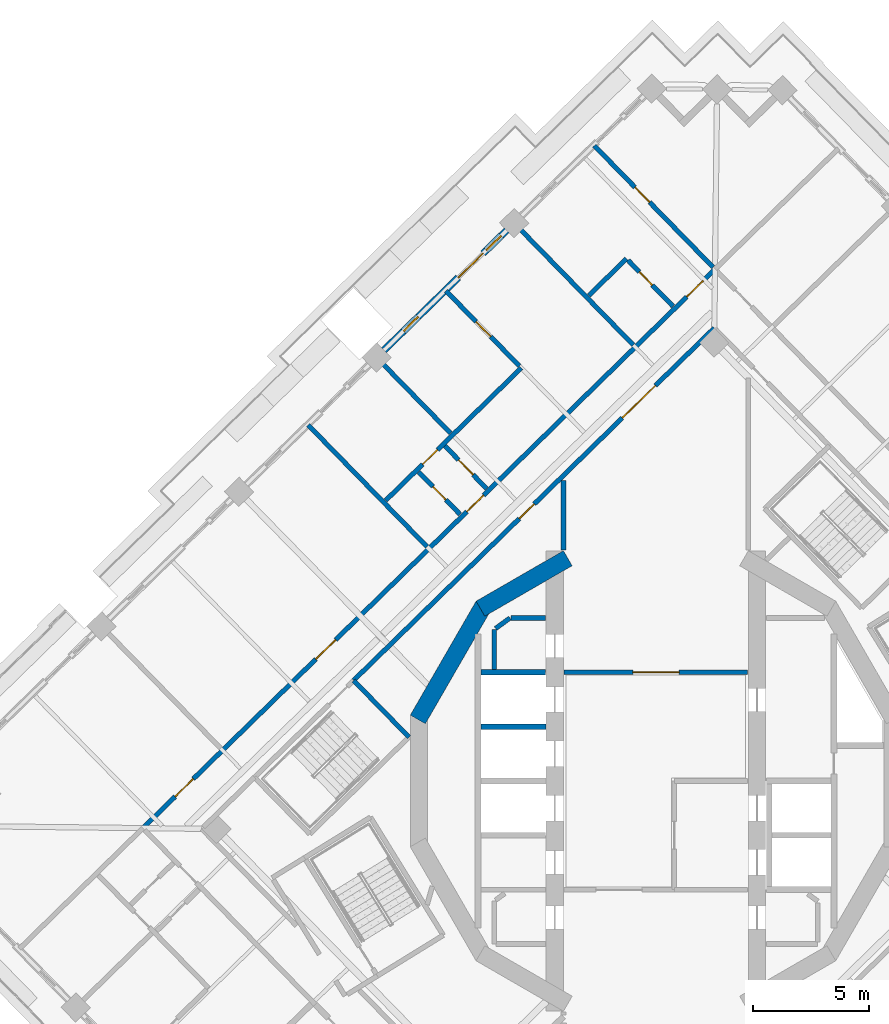
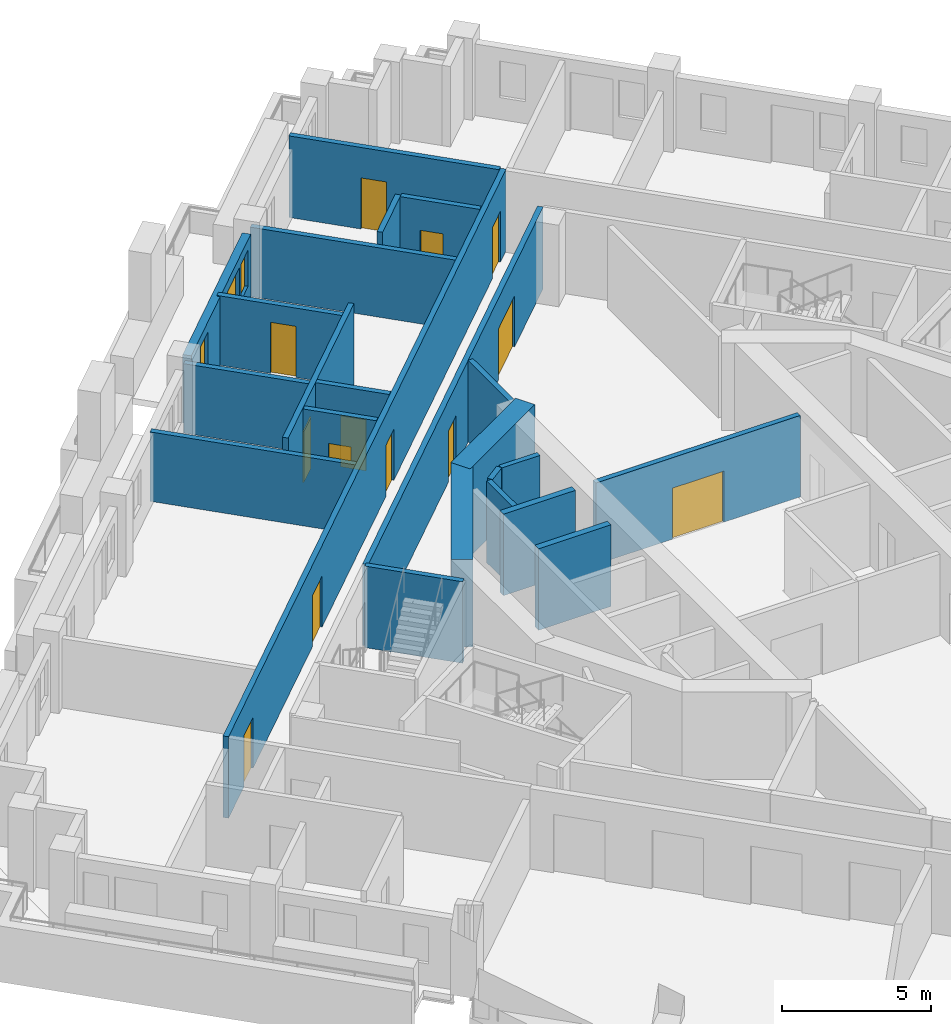
# One storey, part 8 of 17: 23 walls, 14 doors, 2 windows, 16 openings.
"""IFC4 building model written with IfcOpenShell, lengths in metres."""

from ifc_helpers import new_model, si_unit, direction, frame, frame_2d, origin, place, context, subcontext, project, spatial, rectangle, extrude, material, layer, layer_set, type_object, element, fill, save


model = new_model("IFC4")

# Units and contexts
model_context = context("Model", 3, precision=1e-05, world=origin(), true_north=direction((0.0, 1.0)))
body_context = subcontext(model_context, "Body", "Model", "MODEL_VIEW")
ifc_project = project(units=[si_unit("LENGTHUNIT", "METRE"), si_unit("AREAUNIT", "SQUARE_METRE"), si_unit("VOLUMEUNIT", "CUBIC_METRE"), si_unit("PLANEANGLEUNIT", "RADIAN"), si_unit("MASSUNIT", "GRAM", prefix="KILO")], contexts=[model_context])

# Site, building, storey
site_placement = place(None, origin())
site = spatial("IfcSite", under=ifc_project, at=site_placement, CompositionType="ELEMENT")
building_placement = place(site_placement, origin())
building = spatial("IfcBuilding", under=site, at=building_placement, Name="Cantera Rosa Tower", CompositionType="ELEMENT")
storey_placement = place(building_placement, frame((0.0, 0.0, 237.800048828125)))
storey = spatial("IfcBuildingStorey", under=building, at=storey_placement, Name="L52", CompositionType="ELEMENT", Elevation=237.800048828125)

# Wall
ifc_material_1 = material(Name="Gypsum board partition")
ifc_layer_1 = layer(ifc_material_1, 0.199951171875)
ifc_layer_set_1 = layer_set([ifc_layer_1], Name="CORRIDOR WALL 200 H3350")
wall_type_1 = type_object("IfcWallType", Name="CORRIDOR WALL 200 H3350", PredefinedType="PARTITIONING", material=ifc_layer_set_1)
wall_1_placement = place(storey_placement, frame((-4.0, 12.998046875, 0.0), z_axis=(0.0, 0.0, 1.0), x_axis=(0.0, -1.0, 0.0)))
element("IfcWall", 1, at=wall_1_placement, inside=storey, type_object=wall_type_1, Name="CORRIDOR WALL L52-053", PredefinedType="PARTITIONING", context=body_context, shape_type="SweptSolid", body=[
    extrude(rectangle(XDim=3.00390625, YDim=0.199951171875, at=frame_2d((1.501953125, 0.0))), origin(), (0.0, 0.0, 1.0), 3.349853515625),
])

# Wall, opening, door
wall_2_placement = place(storey_placement, frame((-3.969970703125, 4.699951171875, 0.0), z_axis=(0.0, 0.0, 1.0), x_axis=(1.0, 0.0, 0.0)))
wall_2 = element("IfcWall", 2, at=wall_2_placement, inside=storey, type_object=wall_type_1, Name="CORRIDOR WALL L52-054", PredefinedType="PARTITIONING", context=body_context, shape_type="SweptSolid", body=[
    extrude(rectangle(XDim=7.93994140625, YDim=0.199951171875, at=frame_2d((3.969970703125, 0.0))), origin(), (0.0, 0.0, 1.0), 3.349853515625),
])
opening_1_placement = place(wall_2_placement, frame((2.969970703125, 0.0, 0.0)))
opening_1 = element("IfcOpeningElement", 3, at=opening_1_placement, cuts=wall_2, Name="Opening L52-013", PredefinedType="OPENING", context=body_context, shape_type="SweptSolid", body=[
    extrude(rectangle(XDim=2.0, YDim=2.10009765625, at=frame_2d((1.0, 1.050048828125))), frame((0.0, 0.10986328125, 0.0), z_axis=(0.0, -1.0, 0.0), x_axis=(1.0, 0.0, 0.0)), (0.0, 0.0, 1.0), 0.219970703125),
])
ifc_material_2 = material(Name="Steel S355J2 (EN 10025-2)", Category="steel")
door_type_1 = type_object("IfcDoorType", Name="LOBBY SCREEN DOOR 2000x2100", OperationType="NOTDEFINED", PredefinedType="DOOR", material=ifc_material_2)
door_1_placement = place(opening_1_placement, origin())
door_1 = element("IfcDoor", 4, at=door_1_placement, inside=storey, type_object=door_type_1, Name="DOOR L52-013", OperationType="NOTDEFINED", OverallHeight=2.10009765625, OverallWidth=2.0, PredefinedType="DOOR", context=body_context, shape_type="SweptSolid", body=[
    extrude(rectangle(XDim=2.0, YDim=2.10009765625, at=frame_2d((1.0, 1.050048828125))), frame((0.0, 0.02490234375, 0.0), z_axis=(0.0, -1.0, 0.0), x_axis=(1.0, 0.0, 0.0)), (0.0, 0.0, 1.0), 0.050048828125),
])
fill(opening_1, door_1)

# Wall, openings, doors
wall_3_placement = place(storey_placement, frame((2.5263671875, 19.593994140625, 0.0), z_axis=(0.0, 0.0, 1.0), x_axis=(-0.715295644999, -0.698821966059, 0.0)))
wall_3 = element("IfcWall", 5, at=wall_3_placement, inside=storey, type_object=wall_type_1, Name="CORRIDOR WALL L52-064", PredefinedType="PARTITIONING", context=body_context, shape_type="SweptSolid", body=[
    extrude(rectangle(XDim=21.815185546875, YDim=0.199951171875, at=frame_2d((10.90771484375, 0.0))), origin(), (0.0, 0.0, 1.0), 3.349853515625),
])
opening_2_placement = place(wall_3_placement, frame((10.89501953125, 0.0, 0.0)))
opening_2 = element("IfcOpeningElement", 6, at=opening_2_placement, cuts=wall_3, Name="Opening L52-008", PredefinedType="OPENING", context=body_context, shape_type="SweptSolid", body=[
    extrude(rectangle(XDim=0.89990234375, YDim=2.10009765625, at=frame_2d((0.449951171875, 1.050048828125))), frame((0.0, 0.10986328125, 0.0), z_axis=(0.0, -1.0, 0.0), x_axis=(1.0, 0.0, 0.0)), (0.0, 0.0, 1.0), 0.219970703125),
])
opening_3_placement = place(wall_3_placement, frame((3.56201171875, 0.0, 0.0)))
opening_3 = element("IfcOpeningElement", 7, at=opening_3_placement, cuts=wall_3, Name="Opening L52-012", PredefinedType="OPENING", context=body_context, shape_type="SweptSolid", body=[
    extrude(rectangle(XDim=2.0, YDim=2.10009765625, at=frame_2d((1.0, 1.050048828125))), frame((0.0, 0.10986328125, 0.0), z_axis=(0.0, -1.0, 0.0), x_axis=(1.0, 0.0, 0.0)), (0.0, 0.0, 1.0), 0.219970703125),
])
door_2_placement = place(opening_3_placement, origin())
door_2 = element("IfcDoor", 8, at=door_2_placement, inside=storey, type_object=door_type_1, Name="DOOR L52-012", OperationType="NOTDEFINED", OverallHeight=2.10009765625, OverallWidth=2.0, PredefinedType="DOOR", context=body_context, shape_type="SweptSolid", body=[
    extrude(rectangle(XDim=2.0, YDim=2.10009765625, at=frame_2d((1.0, 1.050048828125))), frame((0.0, 0.02490234375, 0.0), z_axis=(0.0, -1.0, 0.0), x_axis=(1.0, 0.0, 0.0)), (0.0, 0.0, 1.0), 0.050048828125),
])
fill(opening_3, door_2)
ifc_material_3 = material(Name="Timber door leaf", Category="wood")
door_type_2 = type_object("IfcDoorType", Name="SERVICE DOOR 900x2100", OperationType="NOTDEFINED", PredefinedType="DOOR", material=ifc_material_3)
door_3_placement = place(opening_2_placement, origin())
door_3 = element("IfcDoor", 9, at=door_3_placement, inside=storey, type_object=door_type_2, Name="DOOR L52-008", OperationType="NOTDEFINED", OverallHeight=2.10009765625, OverallWidth=0.89990234375, PredefinedType="DOOR", context=body_context, shape_type="SweptSolid", body=[
    extrude(rectangle(XDim=0.89990234375, YDim=2.10009765625, at=frame_2d((0.449951171875, 1.050048828125))), frame((0.0, 0.02490234375, 0.0), z_axis=(0.0, -1.0, 0.0), x_axis=(1.0, 0.0, 0.0)), (0.0, 0.0, 1.0), 0.050048828125),
])
fill(opening_2, door_3)

wall_4_placement = place(storey_placement, frame((2.555908203125, 22.1396484375, 0.0), z_axis=(0.0, 0.0, 1.0), x_axis=(-0.715286274513, -0.698831557311, 0.0)))
wall_4 = element("IfcWall", 10, at=wall_4_placement, inside=storey, type_object=wall_type_1, Name="CORRIDOR WALL L52-065", PredefinedType="PARTITIONING", context=body_context, shape_type="SweptSolid", body=[
    extrude(rectangle(XDim=34.60009765625, YDim=0.199951171875, at=frame_2d((17.300048828125, 0.0))), origin(), (0.0, 0.0, 1.0), 3.349853515625),
])
opening_4_placement = place(wall_4_placement, frame((22.93994140625, 0.0, 0.0)))
opening_4 = element("IfcOpeningElement", 11, at=opening_4_placement, cuts=wall_4, Name="Opening L52-031", PredefinedType="OPENING", context=body_context, shape_type="SweptSolid", body=[
    extrude(rectangle(XDim=1.199951171875, YDim=2.10009765625, at=frame_2d((0.60009765625, 1.050048828125))), frame((0.0, 0.10986328125, 0.0), z_axis=(0.0, -1.0, 0.0), x_axis=(1.0, 0.0, 0.0)), (0.0, 0.0, 1.0), 0.219970703125),
])
opening_5_placement = place(wall_4_placement, frame((14.0, 0.0, 0.0)))
opening_5 = element("IfcOpeningElement", 12, at=opening_5_placement, cuts=wall_4, Name="Opening L52-032", PredefinedType="OPENING", context=body_context, shape_type="SweptSolid", body=[
    extrude(rectangle(XDim=1.0, YDim=2.10009765625, at=frame_2d((0.5, 1.050048828125))), frame((0.0, 0.10986328125, 0.0), z_axis=(0.0, -1.0, 0.0), x_axis=(1.0, 0.0, 0.0)), (0.0, 0.0, 1.0), 0.219970703125),
])
opening_6_placement = place(wall_4_placement, frame((0.7099609375, 0.0, 0.0)))
opening_6 = element("IfcOpeningElement", 13, at=opening_6_placement, cuts=wall_4, Name="Opening L52-037", PredefinedType="OPENING", context=body_context, shape_type="SweptSolid", body=[
    extrude(rectangle(XDim=1.0, YDim=2.10009765625, at=frame_2d((0.5, 1.050048828125))), frame((0.0, 0.10986328125, 0.0), z_axis=(0.0, -1.0, 0.0), x_axis=(1.0, 0.0, 0.0)), (0.0, 0.0, 1.0), 0.219970703125),
])
opening_7_placement = place(wall_4_placement, frame((31.550048828125, 0.0, 0.0)))
opening_7 = element("IfcOpeningElement", 14, at=opening_7_placement, cuts=wall_4, Name="Opening L52-040", PredefinedType="OPENING", context=body_context, shape_type="SweptSolid", body=[
    extrude(rectangle(XDim=1.10009765625, YDim=2.10009765625, at=frame_2d((0.550048828125, 1.050048828125))), frame((0.0, 0.10986328125, 0.0), z_axis=(0.0, -1.0, 0.0), x_axis=(1.0, 0.0, 0.0)), (0.0, 0.0, 1.0), 0.219970703125),
])
ifc_material_4 = material(Name="Timber door leaf", Category="wood")
door_type_3 = type_object("IfcDoorType", Name="ENTRANCE DOOR 1000x2100", OperationType="NOTDEFINED", PredefinedType="DOOR", material=ifc_material_4)
door_4_placement = place(opening_5_placement, origin())
door_4 = element("IfcDoor", 15, at=door_4_placement, inside=storey, type_object=door_type_3, Name="DOOR L52-032", OperationType="NOTDEFINED", OverallHeight=2.10009765625, OverallWidth=1.0, PredefinedType="DOOR", context=body_context, shape_type="SweptSolid", body=[
    extrude(rectangle(XDim=1.0, YDim=2.10009765625, at=frame_2d((0.5, 1.050048828125))), frame((0.0, 0.02490234375, 0.0), z_axis=(0.0, -1.0, 0.0), x_axis=(1.0, 0.0, 0.0)), (0.0, 0.0, 1.0), 0.050048828125),
])
fill(opening_5, door_4)
door_5_placement = place(opening_6_placement, origin())
door_5 = element("IfcDoor", 16, at=door_5_placement, inside=storey, type_object=door_type_3, Name="DOOR L52-037", OperationType="NOTDEFINED", OverallHeight=2.10009765625, OverallWidth=1.0, PredefinedType="DOOR", context=body_context, shape_type="SweptSolid", body=[
    extrude(rectangle(XDim=1.0, YDim=2.10009765625, at=frame_2d((0.5, 1.050048828125))), frame((0.0, 0.02490234375, 0.0), z_axis=(0.0, -1.0, 0.0), x_axis=(1.0, 0.0, 0.0)), (0.0, 0.0, 1.0), 0.050048828125),
])
fill(opening_6, door_5)
ifc_material_5 = material(Name="Timber door leaf", Category="wood")
door_type_4 = type_object("IfcDoorType", Name="ROOM DOOR 1100x2100", OperationType="NOTDEFINED", PredefinedType="DOOR", material=ifc_material_5)
door_6_placement = place(opening_7_placement, origin())
door_6 = element("IfcDoor", 17, at=door_6_placement, inside=storey, type_object=door_type_4, Name="DOOR L52-040", OperationType="NOTDEFINED", OverallHeight=2.10009765625, OverallWidth=1.10009765625, PredefinedType="DOOR", context=body_context, shape_type="SweptSolid", body=[
    extrude(rectangle(XDim=1.10009765625, YDim=2.10009765625, at=frame_2d((0.550048828125, 1.050048828125))), frame((0.0, 0.02490234375, 0.0), z_axis=(0.0, -1.0, 0.0), x_axis=(1.0, 0.0, 0.0)), (0.0, 0.0, 1.0), 0.050048828125),
])
fill(opening_7, door_6)
ifc_material_6 = material(Name="Timber door leaf", Category="wood")
door_type_5 = type_object("IfcDoorType", Name="ROOM DOOR 1200x2100", OperationType="NOTDEFINED", PredefinedType="DOOR", material=ifc_material_6)
door_7_placement = place(opening_4_placement, origin())
door_7 = element("IfcDoor", 18, at=door_7_placement, inside=storey, type_object=door_type_5, Name="DOOR L52-031", OperationType="NOTDEFINED", OverallHeight=2.10009765625, OverallWidth=1.199951171875, PredefinedType="DOOR", context=body_context, shape_type="SweptSolid", body=[
    extrude(rectangle(XDim=1.199951171875, YDim=2.10009765625, at=frame_2d((0.60009765625, 1.050048828125))), frame((0.0, 0.02490234375, 0.0), z_axis=(0.0, -1.0, 0.0), x_axis=(1.0, 0.0, 0.0)), (0.0, 0.0, 1.0), 0.050048828125),
])
fill(opening_4, door_7)

# Wall, openings, windows, door
ifc_material_7 = material(Name="Hollow clay masonry with cantera stone cladding", Category="masonry")
ifc_layer_2 = layer(ifc_material_7, 0.300048828125)
ifc_layer_set_2 = layer_set([ifc_layer_2], Name="EW-LOGGIA 300 H2820")
wall_type_2 = type_object("IfcWallType", Name="EW-LOGGIA 300 H2820", PredefinedType="SOLIDWALL", material=ifc_layer_set_2)
wall_5_placement = place(storey_placement, frame((-6.454833984375, 23.8212890625, 0.0), z_axis=(0.0, 0.0, 1.0), x_axis=(-0.715300826176, -0.698816662703, 0.0)))
wall_5 = element("IfcWall", 19, at=wall_5_placement, inside=storey, type_object=wall_type_2, Name="EN-L52-W08", PredefinedType="SOLIDWALL", context=body_context, shape_type="SweptSolid", body=[
    extrude(rectangle(XDim=7.420166015625, YDim=0.300048828125, at=frame_2d((3.7099609375, 0.0))), origin(), (0.0, 0.0, 1.0), 2.820068359375),
])
opening_8_placement = place(wall_5_placement, frame((0.330078125, 0.0, 0.89990234375)))
opening_8 = element("IfcOpeningElement", 20, at=opening_8_placement, cuts=wall_5, Name="Opening L52-W16", PredefinedType="OPENING", context=body_context, shape_type="SweptSolid", body=[
    extrude(rectangle(XDim=0.89990234375, YDim=1.5, at=frame_2d((0.449951171875, 0.75))), frame((0.0, 0.159912109375, 0.0), z_axis=(0.0, -1.0, 0.0), x_axis=(1.0, 0.0, 0.0)), (0.0, 0.0, 1.0), 0.320068359375),
])
opening_9_placement = place(wall_5_placement, frame((1.429931640625, 0.0, 0.0)))
opening_9 = element("IfcOpeningElement", 21, at=opening_9_placement, cuts=wall_5, Name="Opening L52-TD17", PredefinedType="OPENING", context=body_context, shape_type="SweptSolid", body=[
    extrude(rectangle(XDim=1.5, YDim=2.39990234375, at=frame_2d((0.75, 1.199951171875))), frame((0.0, 0.159912109375, 0.0), z_axis=(0.0, -1.0, 0.0), x_axis=(1.0, 0.0, 0.0)), (0.0, 0.0, 1.0), 0.320068359375),
])
opening_10_placement = place(wall_5_placement, frame((5.340087890625, 0.0, 0.89990234375)))
opening_10 = element("IfcOpeningElement", 22, at=opening_10_placement, cuts=wall_5, Name="Opening L52-W18", PredefinedType="OPENING", context=body_context, shape_type="SweptSolid", body=[
    extrude(rectangle(XDim=0.89990234375, YDim=1.5, at=frame_2d((0.449951171875, 0.75))), frame((0.0, 0.159912109375, 0.0), z_axis=(0.0, -1.0, 0.0), x_axis=(1.0, 0.0, 0.0)), (0.0, 0.0, 1.0), 0.320068359375),
])
ifc_material_8 = material(Name="Aluminium frame with clear glass", Category="aluminium")
window_type = type_object("IfcWindowType", Name="Residential window 900x1500", PartitioningType="SINGLE_PANEL", PredefinedType="WINDOW", material=ifc_material_8)
window_1_placement = place(opening_8_placement, origin())
window_1 = element("IfcWindow", 23, at=window_1_placement, inside=storey, type_object=window_type, Name="WINDOW L52-W16", OverallHeight=1.5, OverallWidth=0.89990234375, PartitioningType="SINGLE_PANEL", PredefinedType="WINDOW", context=body_context, shape_type="SweptSolid", body=[
    extrude(rectangle(XDim=0.89990234375, YDim=1.5, at=frame_2d((0.449951171875, 0.75))), frame((0.0, 0.030029296875, 0.0), z_axis=(0.0, -1.0, 0.0), x_axis=(1.0, 0.0, 0.0)), (0.0, 0.0, 1.0), 0.06005859375),
])
fill(opening_8, window_1)
window_2_placement = place(opening_10_placement, origin())
window_2 = element("IfcWindow", 24, at=window_2_placement, inside=storey, type_object=window_type, Name="WINDOW L52-W18", OverallHeight=1.5, OverallWidth=0.89990234375, PartitioningType="SINGLE_PANEL", PredefinedType="WINDOW", context=body_context, shape_type="SweptSolid", body=[
    extrude(rectangle(XDim=0.89990234375, YDim=1.5, at=frame_2d((0.449951171875, 0.75))), frame((0.0, 0.030029296875, 0.0), z_axis=(0.0, -1.0, 0.0), x_axis=(1.0, 0.0, 0.0)), (0.0, 0.0, 1.0), 0.06005859375),
])
fill(opening_10, window_2)
ifc_material_9 = material(Name="Aluminium frame with clear glass", Category="aluminium")
door_type_6 = type_object("IfcDoorType", Name="TD-R 1500x2400", OperationType="NOTDEFINED", PredefinedType="DOOR", material=ifc_material_9)
door_8_placement = place(opening_9_placement, origin())
door_8 = element("IfcDoor", 25, at=door_8_placement, inside=storey, type_object=door_type_6, Name="LOGGIA DOOR L52-TD17", OperationType="SLIDING_TO_LEFT", OverallHeight=2.39990234375, OverallWidth=1.5, PredefinedType="DOOR", context=body_context, shape_type="SweptSolid", body=[
    extrude(rectangle(XDim=1.5, YDim=2.39990234375, at=frame_2d((0.75, 1.199951171875))), frame((0.0, 0.02490234375, 0.0), z_axis=(0.0, -1.0, 0.0), x_axis=(1.0, 0.0, 0.0)), (0.0, 0.0, 1.0), 0.050048828125),
])
fill(opening_9, door_8)

# Wall
ifc_material_10 = material(Name="Gypsum board partition")
ifc_layer_3 = layer(ifc_material_10, 0.199951171875)
ifc_layer_set_3 = layer_set([ifc_layer_3], Name="PARTITION 200 H2850")
wall_type_3 = type_object("IfcWallType", Name="PARTITION 200 H2850", PredefinedType="PARTITIONING", material=ifc_layer_set_3)
wall_6_placement = place(storey_placement, frame((-12.063232421875, 18.300048828125, 0.0), z_axis=(0.0, 0.0, 1.0), x_axis=(0.698822536041, -0.715295088142, 0.0)))
element("IfcWall", 26, at=wall_6_placement, inside=storey, type_object=wall_type_3, Name="PARTITION L52-022", PredefinedType="PARTITIONING", context=body_context, shape_type="SweptSolid", body=[
    extrude(rectangle(XDim=4.550048828125, YDim=0.199951171875, at=frame_2d((2.27490234375, 0.0))), origin(), (0.0, 0.0, 1.0), 2.849853515625),
])

# Wall, opening, door
wall_7_placement = place(storey_placement, frame((-9.087646484375, 21.207275390625, 0.0), z_axis=(0.0, 0.0, 1.0), x_axis=(0.698822536041, -0.715295088142, 0.0)))
wall_7 = element("IfcWall", 27, at=wall_7_placement, inside=storey, type_object=wall_type_3, Name="PARTITION L52-033", PredefinedType="PARTITIONING", context=body_context, shape_type="SweptSolid", body=[
    extrude(rectangle(XDim=4.550048828125, YDim=0.199951171875, at=frame_2d((2.27490234375, 0.0))), origin(), (0.0, 0.0, 1.0), 2.849853515625),
])
opening_11_placement = place(wall_7_placement, frame((1.8701171875, 0.0, 0.0)))
opening_11 = element("IfcOpeningElement", 28, at=opening_11_placement, cuts=wall_7, Name="Opening L52-036", PredefinedType="OPENING", context=body_context, shape_type="SweptSolid", body=[
    extrude(rectangle(XDim=0.89990234375, YDim=2.10009765625, at=frame_2d((0.449951171875, 1.050048828125))), frame((0.0, 0.10986328125, 0.0), z_axis=(0.0, -1.0, 0.0), x_axis=(1.0, 0.0, 0.0)), (0.0, 0.0, 1.0), 0.219970703125),
])
ifc_material_11 = material(Name="Timber door leaf", Category="wood")
door_type_7 = type_object("IfcDoorType", Name="ROOM DOOR 900x2100", OperationType="NOTDEFINED", PredefinedType="DOOR", material=ifc_material_11)
door_9_placement = place(opening_11_placement, origin())
door_9 = element("IfcDoor", 29, at=door_9_placement, inside=storey, type_object=door_type_7, Name="DOOR L52-036", OperationType="NOTDEFINED", OverallHeight=2.10009765625, OverallWidth=0.89990234375, PredefinedType="DOOR", context=body_context, shape_type="SweptSolid", body=[
    extrude(rectangle(XDim=0.89990234375, YDim=2.10009765625, at=frame_2d((0.449951171875, 1.050048828125))), frame((0.0, 0.02490234375, 0.0), z_axis=(0.0, -1.0, 0.0), x_axis=(1.0, 0.0, 0.0)), (0.0, 0.0, 1.0), 0.050048828125),
])
fill(opening_11, door_9)

ifc_material_12 = material(Name="Gypsum board partition")
ifc_layer_4 = layer(ifc_material_12, 0.199951171875)
ifc_layer_set_4 = layer_set([ifc_layer_4], Name="PARTITION 200 H3350")
wall_type_4 = type_object("IfcWallType", Name="PARTITION 200 H3350", PredefinedType="PARTITIONING", material=ifc_layer_set_4)
wall_8_placement = place(storey_placement, frame((-11.689453125, 12.136474609375, 0.0), z_axis=(0.0, 0.0, 1.0), x_axis=(0.715276493207, 0.698841568788, 0.0)))
wall_8 = element("IfcWall", 30, at=wall_8_placement, inside=storey, type_object=wall_type_4, Name="PARTITION L52-025", PredefinedType="PARTITIONING", context=body_context, shape_type="SweptSolid", body=[
    extrude(rectangle(XDim=8.199951171875, YDim=0.199951171875, at=frame_2d((4.10009765625, 0.0))), origin(), (0.0, 0.0, 1.0), 3.349853515625),
])
opening_12_placement = place(wall_8_placement, frame((2.22998046875, 0.0, 0.0)))
opening_12 = element("IfcOpeningElement", 31, at=opening_12_placement, cuts=wall_8, Name="Opening L52-035", PredefinedType="OPENING", context=body_context, shape_type="SweptSolid", body=[
    extrude(rectangle(XDim=0.89990234375, YDim=2.10009765625, at=frame_2d((0.449951171875, 1.050048828125))), frame((0.0, 0.10986328125, 0.0), z_axis=(0.0, -1.0, 0.0), x_axis=(1.0, 0.0, 0.0)), (0.0, 0.0, 1.0), 0.219970703125),
])
door_10_placement = place(opening_12_placement, origin())
door_10 = element("IfcDoor", 32, at=door_10_placement, inside=storey, type_object=door_type_7, Name="DOOR L52-035", OperationType="NOTDEFINED", OverallHeight=2.10009765625, OverallWidth=0.89990234375, PredefinedType="DOOR", context=body_context, shape_type="SweptSolid", body=[
    extrude(rectangle(XDim=0.89990234375, YDim=2.10009765625, at=frame_2d((0.449951171875, 1.050048828125))), frame((0.0, 0.02490234375, 0.0), z_axis=(0.0, -1.0, 0.0), x_axis=(1.0, 0.0, 0.0)), (0.0, 0.0, 1.0), 0.050048828125),
])
fill(opening_12, door_10)

wall_9_placement = place(storey_placement, frame((-10.260986328125, 13.364501953125, 0.0), z_axis=(0.0, 0.0, 1.0), x_axis=(0.698809886965, -0.715307445705, 0.0)))
wall_9 = element("IfcWall", 33, at=wall_9_placement, inside=storey, type_object=wall_type_4, Name="PARTITION L52-029", PredefinedType="PARTITIONING", context=body_context, shape_type="SweptSolid", body=[
    extrude(rectangle(XDim=2.56005859375, YDim=0.199951171875, at=frame_2d((1.280029296875, 0.0))), origin(), (0.0, 0.0, 1.0), 3.349853515625),
])
opening_13_placement = place(wall_9_placement, frame((0.8798828125, 0.0, 0.0)))
opening_13 = element("IfcOpeningElement", 34, at=opening_13_placement, cuts=wall_9, Name="Opening L52-033", PredefinedType="OPENING", context=body_context, shape_type="SweptSolid", body=[
    extrude(rectangle(XDim=0.800048828125, YDim=2.10009765625, at=frame_2d((0.39990234375, 1.050048828125))), frame((0.0, 0.10986328125, 0.0), z_axis=(0.0, -1.0, 0.0), x_axis=(1.0, 0.0, 0.0)), (0.0, 0.0, 1.0), 0.219970703125),
])
ifc_material_13 = material(Name="Timber door leaf", Category="wood")
door_type_8 = type_object("IfcDoorType", Name="BATHROOM DOOR 800x2100", OperationType="NOTDEFINED", PredefinedType="DOOR", material=ifc_material_13)
door_11_placement = place(opening_13_placement, origin())
door_11 = element("IfcDoor", 35, at=door_11_placement, inside=storey, type_object=door_type_8, Name="DOOR L52-033", OperationType="NOTDEFINED", OverallHeight=2.10009765625, OverallWidth=0.800048828125, PredefinedType="DOOR", context=body_context, shape_type="SweptSolid", body=[
    extrude(rectangle(XDim=0.800048828125, YDim=2.10009765625, at=frame_2d((0.39990234375, 1.050048828125))), frame((0.0, 0.02490234375, 0.0), z_axis=(0.0, -1.0, 0.0), x_axis=(1.0, 0.0, 0.0)), (0.0, 0.0, 1.0), 0.050048828125),
])
fill(opening_13, door_11)

wall_10_placement = place(storey_placement, frame((-9.13037109375, 14.496826171875, 0.0), z_axis=(0.0, 0.0, 1.0), x_axis=(0.698826236875, -0.715291472517, 0.0)))
wall_10 = element("IfcWall", 36, at=wall_10_placement, inside=storey, type_object=wall_type_4, Name="PARTITION L52-032", PredefinedType="PARTITIONING", context=body_context, shape_type="SweptSolid", body=[
    extrude(rectangle(XDim=2.580078125, YDim=0.199951171875, at=frame_2d((1.2900390625, 0.0))), origin(), (0.0, 0.0, 1.0), 3.349853515625),
])
opening_14_placement = place(wall_10_placement, frame((0.85009765625, 0.0, 0.0)))
opening_14 = element("IfcOpeningElement", 37, at=opening_14_placement, cuts=wall_10, Name="Opening L52-034", PredefinedType="OPENING", context=body_context, shape_type="SweptSolid", body=[
    extrude(rectangle(XDim=0.89990234375, YDim=2.10009765625, at=frame_2d((0.449951171875, 1.050048828125))), frame((0.0, 0.10986328125, 0.0), z_axis=(0.0, -1.0, 0.0), x_axis=(1.0, 0.0, 0.0)), (0.0, 0.0, 1.0), 0.219970703125),
])
door_12_placement = place(opening_14_placement, origin())
door_12 = element("IfcDoor", 38, at=door_12_placement, inside=storey, type_object=door_type_7, Name="DOOR L52-034", OperationType="NOTDEFINED", OverallHeight=2.10009765625, OverallWidth=0.89990234375, PredefinedType="DOOR", context=body_context, shape_type="SweptSolid", body=[
    extrude(rectangle(XDim=0.89990234375, YDim=2.10009765625, at=frame_2d((0.449951171875, 1.050048828125))), frame((0.0, 0.02490234375, 0.0), z_axis=(0.0, -1.0, 0.0), x_axis=(1.0, 0.0, 0.0)), (0.0, 0.0, 1.0), 0.050048828125),
])
fill(opening_14, door_12)

# Walls
wall_11_placement = place(storey_placement, frame((-7.0, 4.824951171875, 0.0), z_axis=(0.0, 0.0, 1.0), x_axis=(0.0, 1.0, 0.0)))
element("IfcWall", 39, at=wall_11_placement, inside=storey, type_object=wall_type_4, Name="PARTITION L52-043", PredefinedType="PARTITIONING", context=body_context, shape_type="SweptSolid", body=[
    extrude(rectangle(XDim=1.72509765625, YDim=0.199951171875, at=frame_2d((0.862548828125, 0.0))), origin(), (0.0, 0.0, 1.0), 3.349853515625),
])
wall_12_placement = place(storey_placement, frame((-6.935302734375, 6.59716796875, 0.0), z_axis=(0.0, 0.0, 1.0), x_axis=(0.808227862651, 0.588869868506, 0.0)))
element("IfcWall", 40, at=wall_12_placement, inside=storey, type_object=wall_type_4, Name="PARTITION L52-044", PredefinedType="PARTITIONING", context=body_context, shape_type="SweptSolid", body=[
    extrude(rectangle(XDim=0.76904296875, YDim=0.199951171875, at=frame_2d((0.384521484375, 0.0))), origin(), (0.0, 0.0, 1.0), 3.349853515625),
])
wall_13_placement = place(storey_placement, frame((-6.273681640625, 7.050048828125, 0.0), z_axis=(0.0, 0.0, 1.0), x_axis=(1.0, 0.0, 0.0)))
element("IfcWall", 41, at=wall_13_placement, inside=storey, type_object=wall_type_4, Name="PARTITION L52-045", PredefinedType="PARTITIONING", context=body_context, shape_type="SweptSolid", body=[
    extrude(rectangle(XDim=1.49365234375, YDim=0.199951171875, at=frame_2d((0.746826171875, 0.0))), origin(), (0.0, 0.0, 1.0), 3.349853515625),
])
wall_14_placement = place(storey_placement, frame((-2.902587890625, 21.0009765625, 0.0), z_axis=(0.0, 0.0, 1.0), x_axis=(0.715356263827, 0.698759912848, 0.0)))
element("IfcWall", 42, at=wall_14_placement, inside=storey, type_object=wall_type_4, Name="PARTITION L52-055", PredefinedType="PARTITIONING", context=body_context, shape_type="SweptSolid", body=[
    extrude(rectangle(XDim=2.280029296875, YDim=0.199951171875, at=frame_2d((1.14013671875, 0.0))), origin(), (0.0, 0.0, 1.0), 3.349853515625),
])

# Wall, opening, door
wall_15_placement = place(storey_placement, frame((-1.20166015625, 22.522705078125, 0.0), z_axis=(0.0, 0.0, 1.0), x_axis=(0.698803279279, -0.715313900934, 0.0)))
wall_15 = element("IfcWall", 43, at=wall_15_placement, inside=storey, type_object=wall_type_4, Name="PARTITION L52-059", PredefinedType="PARTITIONING", context=body_context, shape_type="SweptSolid", body=[
    extrude(rectangle(XDim=2.780029296875, YDim=0.199951171875, at=frame_2d((1.39013671875, 0.0))), origin(), (0.0, 0.0, 1.0), 3.349853515625),
])
opening_15_placement = place(wall_15_placement, frame((0.699951171875, 0.0, 0.0)))
opening_15 = element("IfcOpeningElement", 44, at=opening_15_placement, cuts=wall_15, Name="Opening L52-038", PredefinedType="OPENING", context=body_context, shape_type="SweptSolid", body=[
    extrude(rectangle(XDim=0.800048828125, YDim=2.10009765625, at=frame_2d((0.39990234375, 1.050048828125))), frame((0.0, 0.10986328125, 0.0), z_axis=(0.0, -1.0, 0.0), x_axis=(1.0, 0.0, 0.0)), (0.0, 0.0, 1.0), 0.219970703125),
])
door_13_placement = place(opening_15_placement, origin())
door_13 = element("IfcDoor", 45, at=door_13_placement, inside=storey, type_object=door_type_8, Name="DOOR L52-038", OperationType="NOTDEFINED", OverallHeight=2.10009765625, OverallWidth=0.800048828125, PredefinedType="DOOR", context=body_context, shape_type="SweptSolid", body=[
    extrude(rectangle(XDim=0.800048828125, YDim=2.10009765625, at=frame_2d((0.39990234375, 1.050048828125))), frame((0.0, 0.02490234375, 0.0), z_axis=(0.0, -1.0, 0.0), x_axis=(1.0, 0.0, 0.0)), (0.0, 0.0, 1.0), 0.050048828125),
])
fill(opening_15, door_13)

wall_16_placement = place(storey_placement, frame((2.471923828125, 22.225341796875, 0.0), z_axis=(0.0, 0.0, 1.0), x_axis=(-0.698820957739, 0.715296630095, 0.0)))
wall_16 = element("IfcWall", 46, at=wall_16_placement, inside=storey, type_object=wall_type_4, Name="PARTITION L52-066", PredefinedType="PARTITIONING", context=body_context, shape_type="SweptSolid", body=[
    extrude(rectangle(XDim=7.349853515625, YDim=0.199951171875, at=frame_2d((3.6748046875, 0.0))), origin(), (0.0, 0.0, 1.0), 3.349853515625),
])
opening_16_placement = place(wall_16_placement, frame((3.929931640625, 0.0, 0.0)))
opening_16 = element("IfcOpeningElement", 47, at=opening_16_placement, cuts=wall_16, Name="Opening L52-039", PredefinedType="OPENING", context=body_context, shape_type="SweptSolid", body=[
    extrude(rectangle(XDim=0.89990234375, YDim=2.10009765625, at=frame_2d((0.449951171875, 1.050048828125))), frame((0.0, 0.10986328125, 0.0), z_axis=(0.0, -1.0, 0.0), x_axis=(1.0, 0.0, 0.0)), (0.0, 0.0, 1.0), 0.219970703125),
])
door_14_placement = place(opening_16_placement, origin())
door_14 = element("IfcDoor", 48, at=door_14_placement, inside=storey, type_object=door_type_7, Name="DOOR L52-039", OperationType="NOTDEFINED", OverallHeight=2.10009765625, OverallWidth=0.89990234375, PredefinedType="DOOR", context=body_context, shape_type="SweptSolid", body=[
    extrude(rectangle(XDim=0.89990234375, YDim=2.10009765625, at=frame_2d((0.449951171875, 1.050048828125))), frame((0.0, 0.02490234375, 0.0), z_axis=(0.0, -1.0, 0.0), x_axis=(1.0, 0.0, 0.0)), (0.0, 0.0, 1.0), 0.050048828125),
])
fill(opening_16, door_14)

# Walls
ifc_material_14 = material(Name="Gypsum board partition")
ifc_layer_5 = layer(ifc_material_14, 0.199951171875)
ifc_layer_set_5 = layer_set([ifc_layer_5], Name="PARTY WALL 200 H2850")
wall_type_5 = type_object("IfcWallType", Name="PARTY WALL 200 H2850", PredefinedType="PARTITIONING", material=ifc_layer_set_5)
for number, where, z_axis, x_axis, name in (
    (49, (-9.90234375, 10.135498046875, 0.0), (0.0, 0.0, 1.0), (-0.698821349183, 0.715296247667, 0.0), "PARTY WALL L52-031"),
    (50, (-6.112060546875, 24.114501953125, 0.0), (0.0, 0.0, 1.0), (0.698821349183, -0.715296247667, 0.0), "PARTY WALL L52-046"),
):
    element("IfcWall", number, at=place(storey_placement, frame(where, z_axis=z_axis, x_axis=x_axis)), inside=storey, type_object=wall_type_5, Name=name, PredefinedType="PARTITIONING", context=body_context, shape_type="SweptSolid", body=[
        extrude(rectangle(XDim=7.35009765625, YDim=0.199951171875, at=frame_2d((3.675048828125, 0.0))), origin(), (0.0, 0.0, 1.0), 2.849853515625),
    ])
ifc_material_15 = material(Name="Concrete C60/75", Category="concrete")
ifc_layer_6 = layer(ifc_material_15, 0.75)
ifc_layer_set_6 = layer_set([ifc_layer_6], Name="RC CORE WALL 750 C60/75")
wall_type_6 = type_object("IfcWallType", Name="RC CORE WALL 750 C60/75", PredefinedType="SHEAR", material=ifc_layer_set_6)
wall_17_placement = place(storey_placement, frame((-10.300537109375, 2.659423828125, 0.0), z_axis=(0.0, 0.0, 1.0), x_axis=(0.500021842983, 0.866012792365, 0.0)))
element("IfcWall", 51, at=wall_17_placement, inside=storey, type_object=wall_type_6, Name="CW-W4 L52", PredefinedType="SHEAR", context=body_context, shape_type="SweptSolid", body=[
    extrude(rectangle(XDim=5.694091796875, YDim=0.75, at=frame_2d((2.84716796875, 0.0))), origin(), (0.0, 0.0, 1.0), 3.599853515625),
])
wall_18_placement = place(storey_placement, frame((-7.590576171875, 7.453369140625, 0.0), z_axis=(0.0, 0.0, 1.0), x_axis=(0.866013176292, 0.50002117804, 0.0)))
element("IfcWall", 52, at=wall_18_placement, inside=storey, type_object=wall_type_6, Name="CW-W5 L52", PredefinedType="SHEAR", context=body_context, shape_type="SweptSolid", body=[
    extrude(rectangle(XDim=4.362548828125, YDim=0.75, at=frame_2d((2.18115234375, 0.0))), origin(), (0.0, 0.0, 1.0), 3.599853515625),
])
ifc_material_16 = material(Name="Masonry blockwork", Category="masonry")
ifc_layer_7 = layer(ifc_material_16, 0.25)
ifc_layer_set_7 = layer_set([ifc_layer_7], Name="SHAFT WALL 250 H3350")
wall_type_7 = type_object("IfcWallType", Name="SHAFT WALL 250 H3350", PredefinedType="SOLIDWALL", material=ifc_layer_set_7)
wall_19_placement = place(storey_placement, frame((-7.574951171875, 2.35009765625, 0.0), z_axis=(0.0, 0.0, 1.0), x_axis=(1.0, 0.0, 0.0)))
element("IfcWall", 53, at=wall_19_placement, inside=storey, type_object=wall_type_7, Name="SHAFT WALL L52-038", PredefinedType="SOLIDWALL", context=body_context, shape_type="SweptSolid", body=[
    extrude(rectangle(XDim=2.824951171875, YDim=0.25, at=frame_2d((1.41259765625, 0.0))), origin(), (0.0, 0.0, 1.0), 3.349853515625),
])
wall_20_placement = place(storey_placement, frame((-7.574951171875, 4.699951171875, 0.0), z_axis=(0.0, 0.0, 1.0), x_axis=(1.0, 0.0, 0.0)))
element("IfcWall", 54, at=wall_20_placement, inside=storey, type_object=wall_type_7, Name="SHAFT WALL L52-039", PredefinedType="SOLIDWALL", context=body_context, shape_type="SweptSolid", body=[
    extrude(rectangle(XDim=2.794921875, YDim=0.25, at=frame_2d((1.3974609375, 0.0))), origin(), (0.0, 0.0, 1.0), 3.349853515625),
])
ifc_material_17 = material(Name="Concrete C50/60", Category="concrete")
ifc_layer_8 = layer(ifc_material_17, 0.199951171875)
ifc_layer_set_8 = layer_set([ifc_layer_8], Name="STAIR WALL 200 H3350")
wall_type_8 = type_object("IfcWallType", Name="STAIR WALL 200 H3350", PredefinedType="SOLIDWALL", material=ifc_layer_set_8)
wall_21_placement = place(storey_placement, frame((-10.68359375, 1.8984375, 0.0), z_axis=(0.0, 0.0, 1.0), x_axis=(-0.698828566482, 0.715289196527, 0.0)))
element("IfcWall", 55, at=wall_21_placement, inside=storey, type_object=wall_type_8, Name="STAIR WALL L52-027", PredefinedType="SOLIDWALL", context=body_context, shape_type="SweptSolid", body=[
    extrude(rectangle(XDim=3.426025390625, YDim=0.199951171875, at=frame_2d((1.712890625, 0.0))), origin(), (0.0, 0.0, 1.0), 3.349853515625),
])

save(model, "model.ifc")
